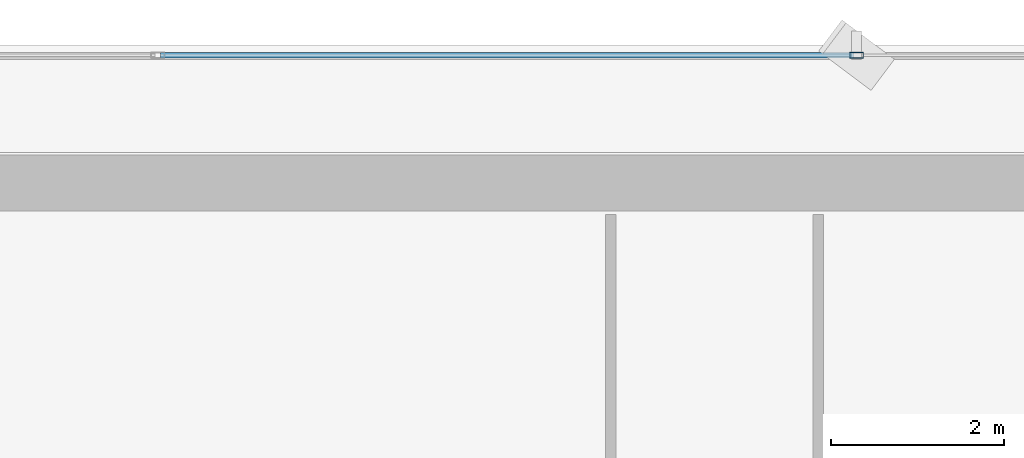
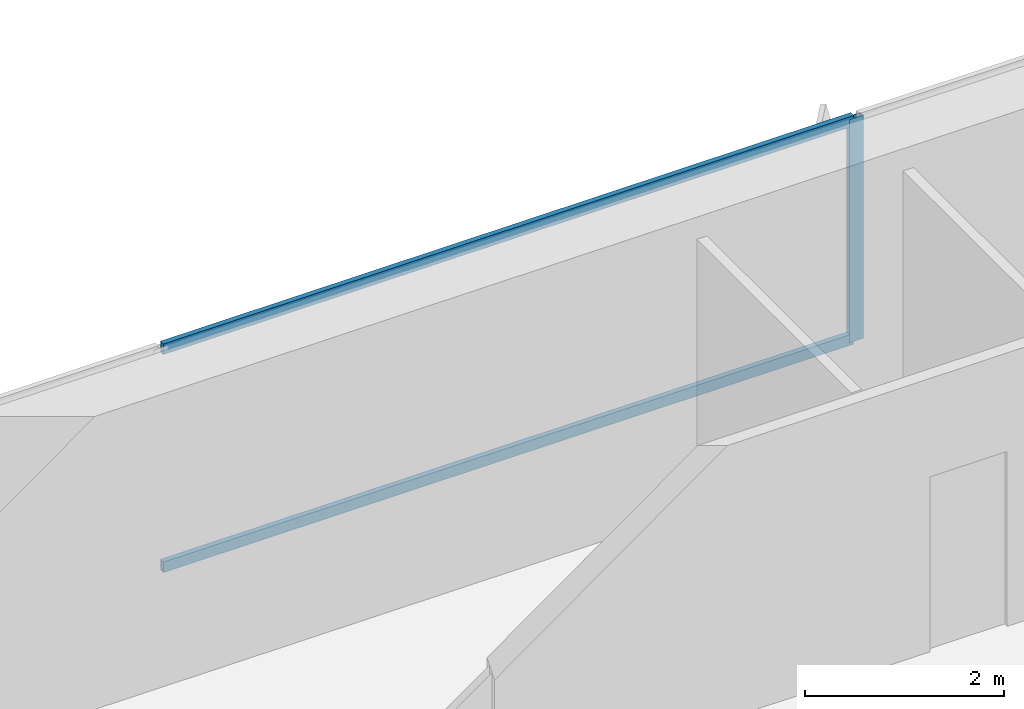
# One storey, part 22 of 37: 3 members, 1 element without a shape of its own.
"""IFC4 building model written with IfcOpenShell, lengths in metres."""

from ifc_helpers import new_model, si_unit, direction, frame, origin, origin_2d, place, context, subcontext, project, spatial, hollow_rectangle, extrude, source, transform, mapped, material, layer, layer_set, material_profile, profile_set, type_object, element, aggregate, save


model = new_model("IFC4")

# Units and contexts
model_context = context("Model", 3, precision=1e-05, world=origin(), true_north=direction((0.0, 1.0)))
body_context = subcontext(model_context, "Body", "Model", "MODEL_VIEW")
ifc_project = project(units=[si_unit("LENGTHUNIT", "METRE"), si_unit("AREAUNIT", "SQUARE_METRE"), si_unit("VOLUMEUNIT", "CUBIC_METRE"), si_unit("PLANEANGLEUNIT", "RADIAN"), si_unit("MASSUNIT", "GRAM", prefix="KILO")], contexts=[model_context])

# Site, building, storey
site_placement = place(None, origin())
site = spatial("IfcSite", under=ifc_project, at=site_placement, CompositionType="ELEMENT")
building_placement = place(site_placement, origin())
building = spatial("IfcBuilding", under=site, at=building_placement, Name="Sumidabori Civic Tower", CompositionType="ELEMENT")
storey_placement = place(building_placement, frame((0.0, 0.0, 88.39990234375)))
storey = spatial("IfcBuildingStorey", under=building, at=storey_placement, Name="L22", CompositionType="ELEMENT", Elevation=88.39990234375)

# Curtain wall, members
ifc_material = material(Name="Anodised Bronze Aluminium AW-6063-T6", Category="aluminium")
ifc_layer = layer(ifc_material, 0.179931640625, Name="Anodised Bronze Aluminium AW-6063-T6")
ifc_layer_set = layer_set([ifc_layer], Name="Anodised Bronze Aluminium AW-6063-T6")
curtain_wall_type = type_object("IfcCurtainWallType", Name="CW-SYS-3", PredefinedType="NOTDEFINED", material=ifc_layer_set)
curtain_wall_placement = place(storey_placement, origin())
curtain_wall = element("IfcCurtainWall", 1, at=curtain_wall_placement, inside=storey, type_object=curtain_wall_type, Name="Curtain Wall CW:L22:R07", PredefinedType="NOTDEFINED")
ifc_material_profile_1 = material_profile(ifc_material, hollow_rectangle(XDim=0.06494140625, YDim=0.159912109375, WallThickness=0.0048828125, at=origin_2d()), Name="ALU MULLION 160x65")
ifc_profile_set_1 = profile_set([ifc_material_profile_1], Name="Anodised Bronze Aluminium AW-6063-T6")
member_type_1 = type_object("IfcMemberType", Name="CW-MUL-160", PredefinedType="MULLION", material=ifc_profile_set_1)
shared_shape_1 = source(origin(), body_context, "Body", "SweptSolid", [
    extrude(hollow_rectangle(XDim=0.06494140625, YDim=0.159912109375, WallThickness=0.0048828125, at=origin_2d()), origin(), (0.0, 0.0, 1.0), 2.739990234375),
])
member_1_placement = place(storey_placement, frame((4.0439453125, 25.280029296875, 0.0), z_axis=(0.0, 0.0, 1.0), x_axis=(0.0, -1.0, 0.0)))
member_1 = element("IfcMember", 2, at=member_1_placement, type_object=member_type_1, Name="CW-3 mullion 3", PredefinedType="MULLION", context=body_context, shape_type="MappedRepresentation", body=[
    mapped(shared_shape_1, transform((0.0, 0.0, 0.0), x_axis=(1.0, 0.0, 0.0), y_axis=(0.0, 1.0, 0.0), z_axis=(0.0, 0.0, 1.0), scale=1.0)),
])
ifc_material_profile_2 = material_profile(ifc_material, hollow_rectangle(XDim=0.06005859375, YDim=0.1298828125, WallThickness=0.0048828125, at=origin_2d()), Name="ALU TRANSOM 130x60")
ifc_profile_set_2 = profile_set([ifc_material_profile_2], Name="Anodised Bronze Aluminium AW-6063-T6")
member_type_2 = type_object("IfcMemberType", Name="CW-TRN-130", PredefinedType="USERDEFINED", material=ifc_profile_set_2)
shared_shape_2 = source(origin(), body_context, "Body", "SweptSolid", [
    extrude(hollow_rectangle(XDim=0.06005859375, YDim=0.1298828125, WallThickness=0.0048828125, at=origin_2d()), origin(), (0.0, 0.0, 1.0), 8.02294921875),
])
member_2_placement = place(storey_placement, frame((4.011474609375, 25.280029296875, 0.030029296875), z_axis=(-1.0, 0.0, 0.0), x_axis=(0.0, -1.0, 0.0)))
member_2 = element("IfcMember", 3, at=member_2_placement, type_object=member_type_2, Name="CW-3 transom 3.1", ObjectType="TRANSOM", PredefinedType="USERDEFINED", context=body_context, shape_type="MappedRepresentation", body=[
    mapped(shared_shape_2, transform((0.0, 0.0, 0.0), x_axis=(1.0, 0.0, 0.0), y_axis=(0.0, 1.0, 0.0), z_axis=(0.0, 0.0, 1.0), scale=1.0)),
])
member_3_placement = place(storey_placement, frame((4.011474609375, 25.280029296875, 2.710205078125), z_axis=(-1.0, 0.0, 0.0), x_axis=(0.0, -1.0, 0.0)))
member_3 = element("IfcMember", 4, at=member_3_placement, type_object=member_type_2, Name="CW-3 transom 3.2", ObjectType="TRANSOM", PredefinedType="USERDEFINED", context=body_context, shape_type="MappedRepresentation", body=[
    mapped(shared_shape_2, transform((0.0, 0.0, 0.0), x_axis=(1.0, 0.0, 0.0), y_axis=(0.0, 1.0, 0.0), z_axis=(0.0, 0.0, 1.0), scale=1.0)),
])
aggregate(curtain_wall, [member_1, member_2, member_3])

save(model, "model.ifc")
